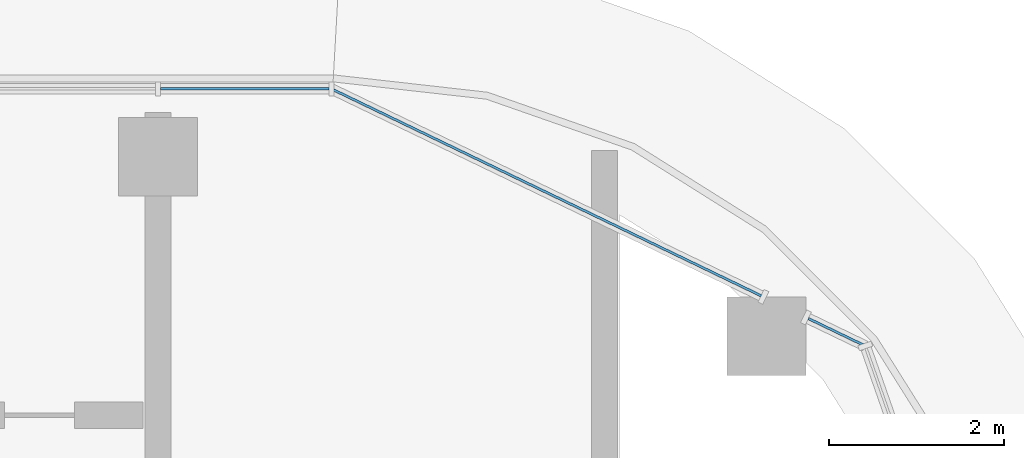
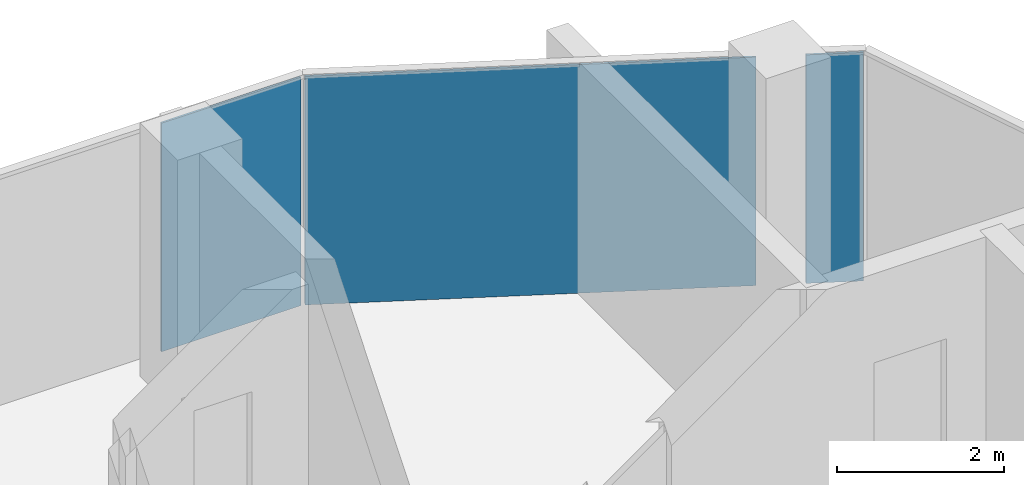
# One storey, part 11 of 22: 3 plates, 3 elements without a shape of their own.
"""IFC4 building model written with IfcOpenShell, lengths in metres."""

import ifcopenshell
import ifcopenshell.guid

model = None  # the IFC model being written
_history = None  # IfcOwnerHistory: only IFC2X3 demands one
_inside = {}  # id of a spatial element -> (the spatial element, [elements in it])
_under = {}  # id of a project, library or spatial element -> (it, [spatial elements below it])
_declared = {}  # id of a project -> (the project, [libraries it declares])
_typed = {}  # id of a type object -> (the type object, [elements of that type])
_made_of = {}  # id of a material, layer set ... -> (it, [elements and type objects made of it])


def new_model(schema):
    """Start an empty IFC model of exactly this schema.

    Asked for "IFC4X3", IfcOpenShell would pick the latest addendum, in which some entities
    have other attributes; the version numbers below select the first issue.
    IFC2X3 requires an IfcOwnerHistory on every rooted entity: one is made here for all.
    """
    global model, _history
    if schema == "IFC4X3":
        model = ifcopenshell.file(schema_version=(4, 3, 0, 0))
    else:
        model = ifcopenshell.file(schema=schema)
    _inside.clear()
    _under.clear()
    _declared.clear()
    _typed.clear()
    _made_of.clear()
    _history = None
    if model.schema == "IFC2X3":
        org = make("IfcOrganization", Name="unknown")
        user = make(
            "IfcPersonAndOrganization",
            ThePerson=make("IfcPerson", FamilyName="unknown"),
            TheOrganization=org,
        )
        app = make(
            "IfcApplication",
            ApplicationDeveloper=org,
            Version="unknown",
            ApplicationFullName="unknown",
            ApplicationIdentifier="unknown",
        )
        _history = make(
            "IfcOwnerHistory",
            OwningUser=user,
            OwningApplication=app,
            ChangeAction="ADDED",
            CreationDate=0,
        )
    return model


def make(cls, **values):
    """One entity of the class cls with the attributes given. An attribute that is None is left unset."""
    return model.create_entity(
        cls, **{name: value for name, value in values.items() if value is not None}
    )


def rooted(cls, **values):
    """An entity with a GlobalId (a new one), such as an element, a storey or a relation."""
    return make(cls, GlobalId=ifcopenshell.guid.new(), OwnerHistory=_history, **values)


def si_unit(unit_type, name, prefix=None):
    """IfcSIUnit, for example si_unit("LENGTHUNIT", "METRE", prefix="MILLI")."""
    return make("IfcSIUnit", UnitType=unit_type, Prefix=prefix, Name=name)


def assignment(units):
    """IfcUnitAssignment: the units of a project."""
    return None if units is None else make("IfcUnitAssignment", Units=units)


def point(xyz):
    """IfcCartesianPoint."""
    return None if xyz is None else make("IfcCartesianPoint", Coordinates=xyz)


def direction(xyz):
    """IfcDirection."""
    return None if xyz is None else make("IfcDirection", DirectionRatios=xyz)


def frame(location, z_axis=None, x_axis=None):
    """IfcAxis2Placement3D, a coordinate frame: its origin and axes. An axis left out is left unset."""
    return make(
        "IfcAxis2Placement3D",
        Location=point(location),
        Axis=direction(z_axis),
        RefDirection=direction(x_axis),
    )


def frame_2d(location, x_axis=None):
    """IfcAxis2Placement2D, a coordinate frame in the plane: its origin and x axis."""
    return make(
        "IfcAxis2Placement2D", Location=point(location), RefDirection=direction(x_axis)
    )


def origin():
    """The frame at (0, 0, 0) with its axes left unset."""
    return frame((0.0, 0.0, 0.0))


def origin_2d():
    """The frame at (0, 0) in the plane with its x axis left unset."""
    return frame_2d((0.0, 0.0))


def place(relative_to, where):
    """IfcLocalPlacement: puts the frame where relative to a parent placement (None: the world)."""
    return make(
        "IfcLocalPlacement", PlacementRelTo=relative_to, RelativePlacement=where
    )


def context(
    kind, dimensions, precision=None, world=None, true_north=None, identifier=None
):
    """IfcGeometricRepresentationContext, for example the 3D "Model" context."""
    return make(
        "IfcGeometricRepresentationContext",
        ContextIdentifier=identifier,
        ContextType=kind,
        CoordinateSpaceDimension=dimensions,
        Precision=precision,
        WorldCoordinateSystem=world,
        TrueNorth=true_north,
    )


def subcontext(parent, identifier, kind, view, scale=None):
    """IfcGeometricRepresentationSubContext, for example "Body" below "Model"."""
    return make(
        "IfcGeometricRepresentationSubContext",
        ContextIdentifier=identifier,
        ContextType=kind,
        ParentContext=parent,
        TargetScale=scale,
        TargetView=view,
    )


def project(units=None, contexts=None):
    """IfcProject with its units and contexts."""
    return rooted(
        "IfcProject",
        Name="project",
        RepresentationContexts=contexts,
        UnitsInContext=assignment(units),
    )


def spatial(cls, under=None, at=None, **own):
    """A site, building, storey or space (cls), placed at a placement, below another one or the project."""
    s = rooted(cls, ObjectPlacement=at, **own)
    if under is not None:
        _under.setdefault(under.id(), (under, []))[1].append(s)
    return s


def profile(cls, at=None, kind="AREA", **sizes):
    """A parametric profile (cls). Its sizes go by their IFC names, for example OverallWidth=200.0."""
    return make(cls, ProfileType=kind, Position=at, **sizes)


def rectangle(**sizes):
    """IfcRectangleProfileDef."""
    return profile("IfcRectangleProfileDef", **sizes)


def extrude(swept, where, along, depth):
    """IfcExtrudedAreaSolid: the profile swept, set in the frame where, extruded along a direction by depth."""
    return make(
        "IfcExtrudedAreaSolid",
        SweptArea=swept,
        Position=where,
        ExtrudedDirection=direction(along),
        Depth=depth,
    )


def shape(context_of_items, identifier, shape_type, items):
    """IfcShapeRepresentation: the items that make up one representation, for example the "Body"."""
    return make(
        "IfcShapeRepresentation",
        ContextOfItems=context_of_items,
        RepresentationIdentifier=identifier,
        RepresentationType=shape_type,
        Items=items,
    )


def material(Name=None, Category=None):
    """IfcMaterial."""
    return make("IfcMaterial", Name=Name, Category=Category)


def layer(
    of_material, thickness, ventilated=None, Name=None, Category=None, Priority=None
):
    """IfcMaterialLayer: one layer of a wall or slab, of a material (None: an air gap)."""
    return make(
        "IfcMaterialLayer",
        Material=of_material,
        LayerThickness=thickness,
        IsVentilated=ventilated,
        Name=Name,
        Category=Category,
        Priority=Priority,
    )


def layer_set(layers, Name=None):
    """IfcMaterialLayerSet."""
    return make("IfcMaterialLayerSet", MaterialLayers=layers, LayerSetName=Name)


def made_of(thing, what):
    """Note that an element or type object is made of a material, layer set ...; save() writes the relation."""
    if what is not None:
        _made_of.setdefault(what.id(), (what, []))[1].append(thing)
    return thing


def type_object(cls, material=None, **own):
    """A type object (cls), such as IfcWallType, which elements share."""
    return made_of(rooted(cls, **own), material)


def element(
    cls,
    number,
    at=None,
    inside=None,
    cuts=None,
    type_object=None,
    material=None,
    context=None,
    identifier="Body",
    shape_type=None,
    held_by="IfcProductDefinitionShape",
    body=None,
    shapes=None,
    **own,
):
    """One element of the class cls, such as IfcWall. Its Tag is "e" and its number.

    at: its placement. inside: the storey or other place that contains it. cuts: it is an
    opening in that element (IfcRelVoidsElement). A single representation is given by context,
    identifier, shape_type and body (its items); several are given by shapes. held_by: the class
    of the entity that holds the representations. save() writes the other relations.
    """
    e = rooted(cls, Tag="e%d" % number, ObjectPlacement=at, **own)
    if body is not None:
        shapes = [shape(context, identifier, shape_type, body)]
    if shapes is not None:
        e.Representation = make(held_by, Representations=shapes)
    if inside is not None:
        _inside.setdefault(inside.id(), (inside, []))[1].append(e)
    if cuts is not None:
        rooted(
            "IfcRelVoidsElement", RelatingBuildingElement=cuts, RelatedOpeningElement=e
        )
    if type_object is not None:
        _typed.setdefault(type_object.id(), (type_object, []))[1].append(e)
    return made_of(e, material)


def aggregate(whole, parts):
    """IfcRelAggregates: a whole, such as a stair, and the parts it consists of."""
    return rooted("IfcRelAggregates", RelatingObject=whole, RelatedObjects=parts)


def save(model, path):
    """Write the relations noted so far, then the file.

    IfcRelAggregates (storeys below a building ...), IfcRelContainedInSpatialStructure (elements
    in a storey), IfcRelDefinesByType, IfcRelAssociatesMaterial and IfcRelDeclares: one each for
    every whole, place, type object, material and project.
    """
    for whole, parts in _under.values():
        aggregate(whole, parts)
    for where, things in _inside.values():
        rooted(
            "IfcRelContainedInSpatialStructure",
            RelatedElements=things,
            RelatingStructure=where,
        )
    for kind, things in _typed.values():
        rooted("IfcRelDefinesByType", RelatedObjects=things, RelatingType=kind)
    for what, things in _made_of.values():
        rooted("IfcRelAssociatesMaterial", RelatedObjects=things, RelatingMaterial=what)
    for by, libraries in _declared.values():
        rooted("IfcRelDeclares", RelatingContext=by, RelatedDefinitions=libraries)
    model.write(path)


model = new_model("IFC4")

# Units and contexts
model_context = context("Model", 3, precision=1e-05, world=origin(), true_north=direction((0.0, 1.0)))
body_context = subcontext(model_context, "Body", "Model", "MODEL_VIEW")
ifc_project = project(units=[si_unit("LENGTHUNIT", "METRE"), si_unit("AREAUNIT", "SQUARE_METRE"), si_unit("VOLUMEUNIT", "CUBIC_METRE"), si_unit("PLANEANGLEUNIT", "RADIAN"), si_unit("MASSUNIT", "GRAM", prefix="KILO")], contexts=[model_context])

# Site, building, storey
site_placement = place(None, origin())
site = spatial("IfcSite", under=ifc_project, at=site_placement, CompositionType="ELEMENT")
building_placement = place(site_placement, origin())
building = spatial("IfcBuilding", under=site, at=building_placement, Name="Ogive Portal Towers", CompositionType="ELEMENT")
storey_placement = place(building_placement, frame((0.0, 0.0, 206.89990234375)))
storey = spatial("IfcBuildingStorey", under=building, at=storey_placement, Name="L51", CompositionType="ELEMENT", Elevation=206.89990234375)

# Curtain wall, plate
ifc_material = material(Name="Glass, clear low-iron insulated glazing", Category="glass")
curtain_wall_type = type_object("IfcCurtainWallType", Name="CW FRONT RIBBON 4500", PredefinedType="NOTDEFINED", material=ifc_material)
curtain_wall_1_placement = place(storey_placement, origin())
curtain_wall_1 = element("IfcCurtainWall", 1, at=curtain_wall_1_placement, inside=storey, type_object=curtain_wall_type, Name="A:L51:f11:cw0", PredefinedType="NOTDEFINED")
ifc_layer = layer(ifc_material, 0.028076171875)
ifc_layer_set = layer_set([ifc_layer], Name="CW PANEL IGU 28")
plate_type = type_object("IfcPlateType", Name="CW PANEL IGU 28", PredefinedType="CURTAIN_PANEL", material=ifc_layer_set)
plate_1_placement = place(storey_placement, frame((86.490966796875, 40.27490234375, 0.0), z_axis=(0.0, 0.0, 1.0), x_axis=(-1.0, 0.0, 0.0)))
plate_1 = element("IfcPlate", 2, at=plate_1_placement, type_object=plate_type, Name="panel", PredefinedType="CURTAIN_PANEL", context=body_context, shape_type="SweptSolid", body=[
    extrude(rectangle(XDim=1.921630859375, YDim=0.028076171875, at=origin_2d()), origin(), (0.0, 0.0, 1.0), 3.340087890625),
])
aggregate(curtain_wall_1, [plate_1])

curtain_wall_2_placement = place(storey_placement, origin())
curtain_wall_2 = element("IfcCurtainWall", 3, at=curtain_wall_2_placement, inside=storey, type_object=curtain_wall_type, Name="A:L51:f09:cwa~0", PredefinedType="NOTDEFINED")
plate_2_placement = place(storey_placement, frame((93.23828125, 37.502685546875, 0.0), z_axis=(0.0, 0.0, 1.0), x_axis=(-0.900968867905, 0.433883739113, 0.0)))
plate_2 = element("IfcPlate", 4, at=plate_2_placement, type_object=plate_type, Name="panel", PredefinedType="CURTAIN_PANEL", context=body_context, shape_type="SweptSolid", body=[
    extrude(rectangle(XDim=0.691162109375, YDim=0.028076171875, at=origin_2d()), origin(), (0.0, 0.0, 1.0), 3.340087890625),
])
aggregate(curtain_wall_2, [plate_2])

curtain_wall_3_placement = place(storey_placement, origin())
curtain_wall_3 = element("IfcCurtainWall", 5, at=curtain_wall_3_placement, inside=storey, type_object=curtain_wall_type, Name="A:L51:f09:cwa~1", PredefinedType="NOTDEFINED")
plate_3_placement = place(storey_placement, frame((89.947509765625, 39.08740234375, 0.0), z_axis=(0.0, 0.0, 1.0), x_axis=(-0.900968867905, 0.433883739113, 0.0)))
plate_3 = element("IfcPlate", 6, at=plate_3_placement, type_object=plate_type, Name="panel", PredefinedType="CURTAIN_PANEL", context=body_context, shape_type="SweptSolid", body=[
    extrude(rectangle(XDim=5.413818359375, YDim=0.028076171875, at=origin_2d()), origin(), (0.0, 0.0, 1.0), 3.340087890625),
])
aggregate(curtain_wall_3, [plate_3])

save(model, "model.ifc")
